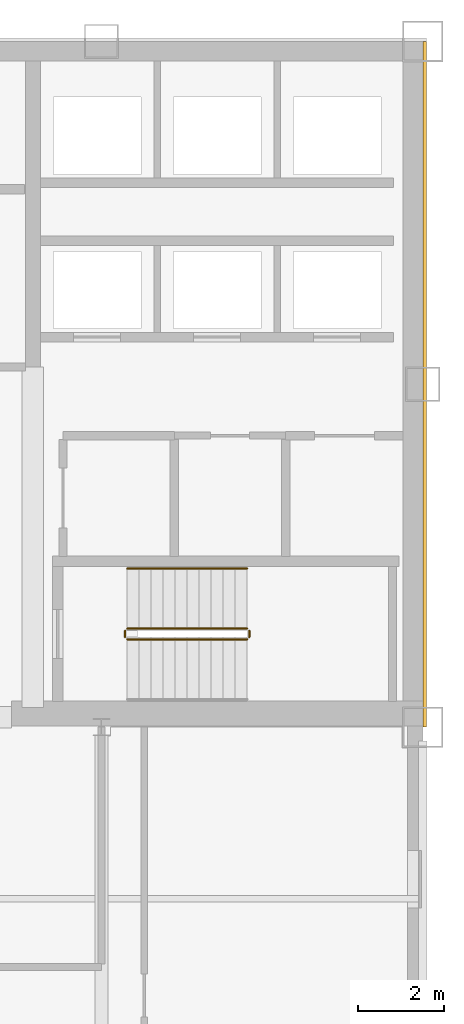
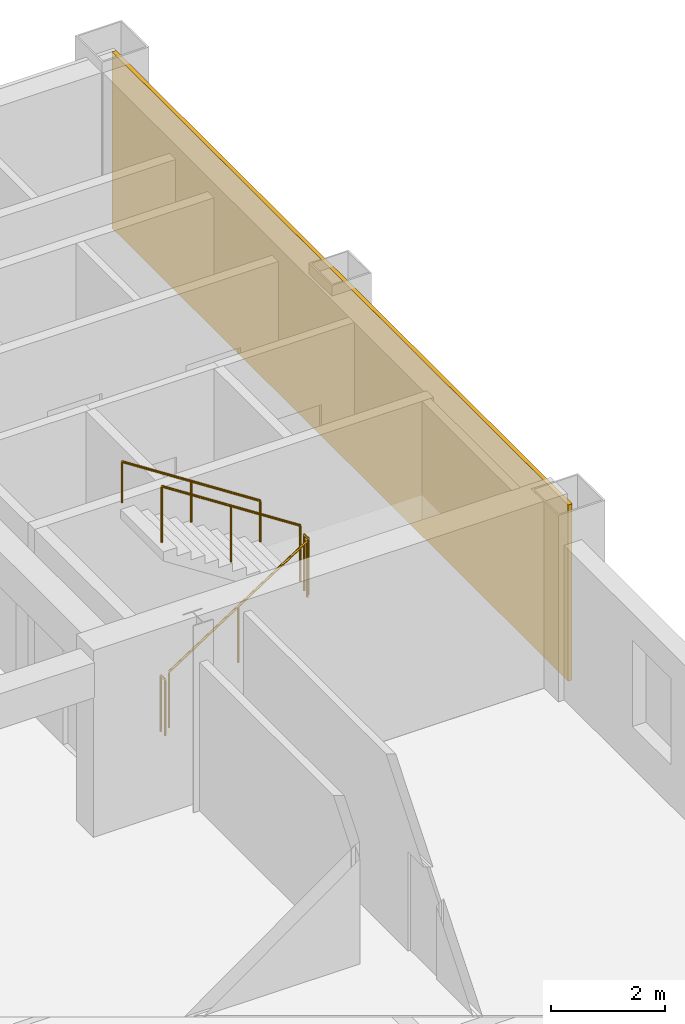
# One storey, part 8 of 10: 5 railings, 1 covering.
"""IFC4 building model written with IfcOpenShell, lengths in metres."""

from ifc_helpers import new_model, si_unit, direction, frame, origin, origin_2d, place, context, subcontext, project, spatial, rectangle, circle, extrude, material, layer, layer_set, type_object, element, save


model = new_model("IFC4")

# Units and contexts
model_context = context("Model", 3, precision=1e-05, world=origin(), true_north=direction((0.0, 1.0)))
body_context = subcontext(model_context, "Body", "Model", "MODEL_VIEW")
ifc_project = project(units=[si_unit("LENGTHUNIT", "METRE"), si_unit("AREAUNIT", "SQUARE_METRE"), si_unit("VOLUMEUNIT", "CUBIC_METRE"), si_unit("PLANEANGLEUNIT", "RADIAN"), si_unit("MASSUNIT", "GRAM", prefix="KILO")], contexts=[model_context])

# Site, building, storey
site_placement = place(None, origin())
site = spatial("IfcSite", under=ifc_project, at=site_placement, CompositionType="ELEMENT")
building_placement = place(site_placement, origin())
building = spatial("IfcBuilding", under=site, at=building_placement, Name="Qianrong Seaharbour Tower", CompositionType="ELEMENT")
storey_placement = place(building_placement, frame((0.0, 0.0, 241.800048828125)))
storey = spatial("IfcBuildingStorey", under=building, at=storey_placement, Name="L58", CompositionType="ELEMENT", Elevation=241.800048828125)

# Covering
ifc_material_1 = material(Name="Unitised red brick cladding on Precast concrete C45/55", Category="masonry")
ifc_layer = layer(ifc_material_1, 0.080078125)
ifc_layer_set = layer_set([ifc_layer], Name="Unitised red brick cladding on Precast concrete C45/55")
covering_type = type_object("IfcCoveringType", Name="COV-CLAD-RED-BRICK-80", PredefinedType="CLADDING", material=ifc_layer_set)
covering_placement = place(storey_placement, frame((64.0400390625, 44.0, 0.0), z_axis=(0.0, 0.0, 1.0), x_axis=(1.0, 0.0, 0.0)))
element("IfcCovering", 1, at=covering_placement, inside=storey, type_object=covering_type, Name="L58 East Core Brick Veneer Cladding", PredefinedType="CLADDING", context=body_context, shape_type="SweptSolid", body=[
    extrude(rectangle(XDim=0.080078125, YDim=16.0, at=origin_2d()), origin(), (0.0, 0.0, 1.0), 3.77490234375),
])

# Railings
ifc_material_2 = material(Name="Galvanized painted steel SN400B stair guard", Category="steel")
railing_type_1 = type_object("IfcRailingType", Name="RAIL-STAIR-GUARD-1220", PredefinedType="GUARDRAIL", material=ifc_material_2)
railing_1_placement = place(storey_placement, frame((57.10009765625, 38.050048828125, 0.181884765625)))
element("IfcRailing", 2, at=railing_1_placement, inside=storey, type_object=railing_type_1, Name="L58 ST-2 stair guard 1", PredefinedType="GUARDRAIL", context=body_context, shape_type="SweptSolid", body=[
    extrude(circle(Radius=0.02392578125, at=origin_2d()), frame((0.0, 0.0, 1.19580078125), z_axis=(0.83868413941, 0.0, 0.544618136222), x_axis=(0.0, 1.0, 0.0)), (0.0, 0.0, 1.0), 3.33837890625),
    extrude(circle(Radius=0.02099609375, at=origin_2d()), origin(), (0.0, 0.0, 1.0), 1.171875),
    extrude(circle(Radius=0.02099609375, at=origin_2d()), frame((1.39990234375, 0.0, 0.9091796875)), (0.0, 0.0, 1.0), 1.171875),
    extrude(circle(Radius=0.02099609375, at=origin_2d()), frame((2.7998046875, 0.0, 1.818115234375)), (0.0, 0.0, 1.0), 1.171875),
])
railing_2_placement = place(storey_placement, frame((59.949951171875, 38.10009765625, 2.0)))
element("IfcRailing", 3, at=railing_2_placement, inside=storey, type_object=railing_type_1, Name="L58 ST-2 stair guard 2", PredefinedType="GUARDRAIL", context=body_context, shape_type="SweptSolid", body=[
    extrude(circle(Radius=0.02392578125, at=origin_2d()), frame((0.0, 0.0, 1.19580078125), z_axis=(0.0, 1.0, 0.0), x_axis=(-1.0, 0.0, 0.0)), (0.0, 0.0, 1.0), 0.14990234375),
    extrude(circle(Radius=0.02099609375, at=origin_2d()), origin(), (0.0, 0.0, 1.0), 1.171875),
    extrude(circle(Radius=0.02099609375, at=origin_2d()), frame((0.0, 0.14990234375, 0.0)), (0.0, 0.0, 1.0), 1.171875),
])
railing_3_placement = place(storey_placement, frame((59.89990234375, 38.300048828125, 2.181884765625)))
element("IfcRailing", 4, at=railing_3_placement, inside=storey, type_object=railing_type_1, Name="L58 ST-2 stair guard 3", PredefinedType="GUARDRAIL", context=body_context, shape_type="SweptSolid", body=[
    extrude(circle(Radius=0.02392578125, at=origin_2d()), frame((0.0, 0.0, 1.19580078125), z_axis=(-0.83868413941, 0.0, 0.544618136222), x_axis=(0.0, -1.0, 0.0)), (0.0, 0.0, 1.0), 3.33837890625),
    extrude(circle(Radius=0.02099609375, at=origin_2d()), origin(), (0.0, 0.0, 1.0), 1.171875),
    extrude(circle(Radius=0.02099609375, at=origin_2d()), frame((-1.39990234375, 0.0, 0.9091796875)), (0.0, 0.0, 1.0), 1.171875),
    extrude(circle(Radius=0.02099609375, at=origin_2d()), frame((-2.7998046875, 0.0, 1.818115234375)), (0.0, 0.0, 1.0), 1.171875),
])
railing_4_placement = place(storey_placement, frame((57.050048828125, 38.10009765625, 0.0)))
element("IfcRailing", 5, at=railing_4_placement, inside=storey, type_object=railing_type_1, Name="L58 ST-2 stair guard 4", PredefinedType="GUARDRAIL", context=body_context, shape_type="SweptSolid", body=[
    extrude(circle(Radius=0.02392578125, at=origin_2d()), frame((0.0, 0.0, 1.19580078125), z_axis=(0.0, 1.0, 0.0), x_axis=(-1.0, 0.0, 0.0)), (0.0, 0.0, 1.0), 0.14990234375),
    extrude(circle(Radius=0.02099609375, at=origin_2d()), origin(), (0.0, 0.0, 1.0), 1.171875),
    extrude(circle(Radius=0.02099609375, at=origin_2d()), frame((0.0, 0.14990234375, 0.0)), (0.0, 0.0, 1.0), 1.171875),
])
ifc_material_3 = material(Name="Stainless steel SUS316L continuous handrail", Category="steel")
railing_type_2 = type_object("IfcRailingType", Name="RAIL-STAIR-HANDRAIL-900", PredefinedType="HANDRAIL", material=ifc_material_3)
railing_5_placement = place(storey_placement, frame((59.89990234375, 39.699951171875, 2.181884765625)))
element("IfcRailing", 6, at=railing_5_placement, inside=storey, type_object=railing_type_2, Name="L58 ST-2 stair handrail 2", PredefinedType="HANDRAIL", context=body_context, shape_type="SweptSolid", body=[
    extrude(circle(Radius=0.02392578125, at=origin_2d()), frame((0.0, 0.0, 0.8759765625), z_axis=(-0.83868413941, 0.0, 0.544618136222), x_axis=(0.0, -1.0, 0.0)), (0.0, 0.0, 1.0), 3.33837890625),
    extrude(circle(Radius=0.02099609375, at=origin_2d()), origin(), (0.0, 0.0, 1.0), 0.851806640625),
    extrude(circle(Radius=0.02099609375, at=origin_2d()), frame((-1.39990234375, 0.0, 0.9091796875)), (0.0, 0.0, 1.0), 0.851806640625),
    extrude(circle(Radius=0.02099609375, at=origin_2d()), frame((-2.7998046875, 0.0, 1.818115234375)), (0.0, 0.0, 1.0), 0.851806640625),
])

save(model, "model.ifc")
